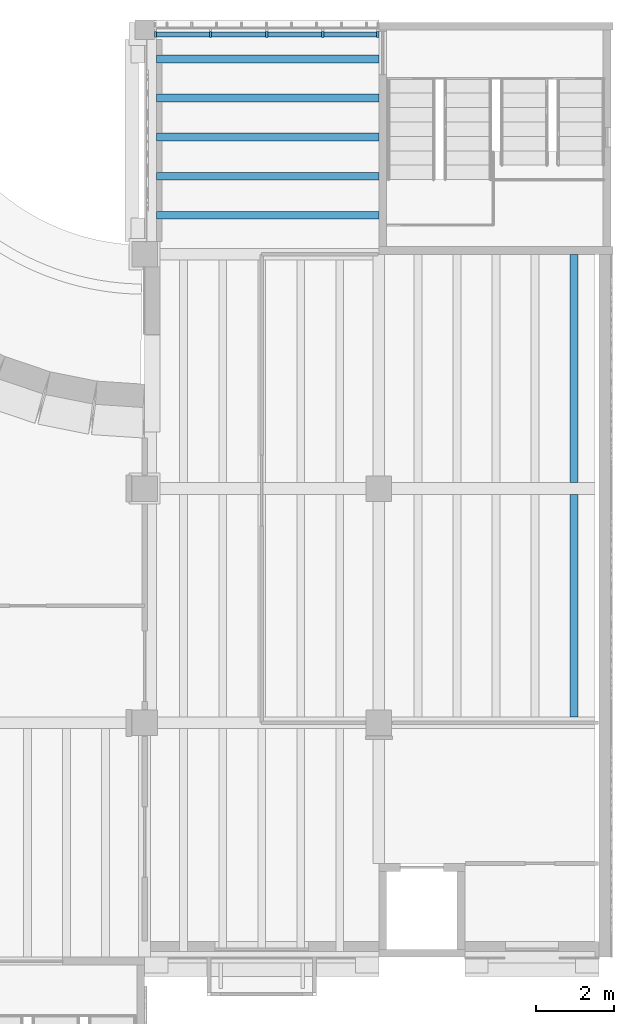
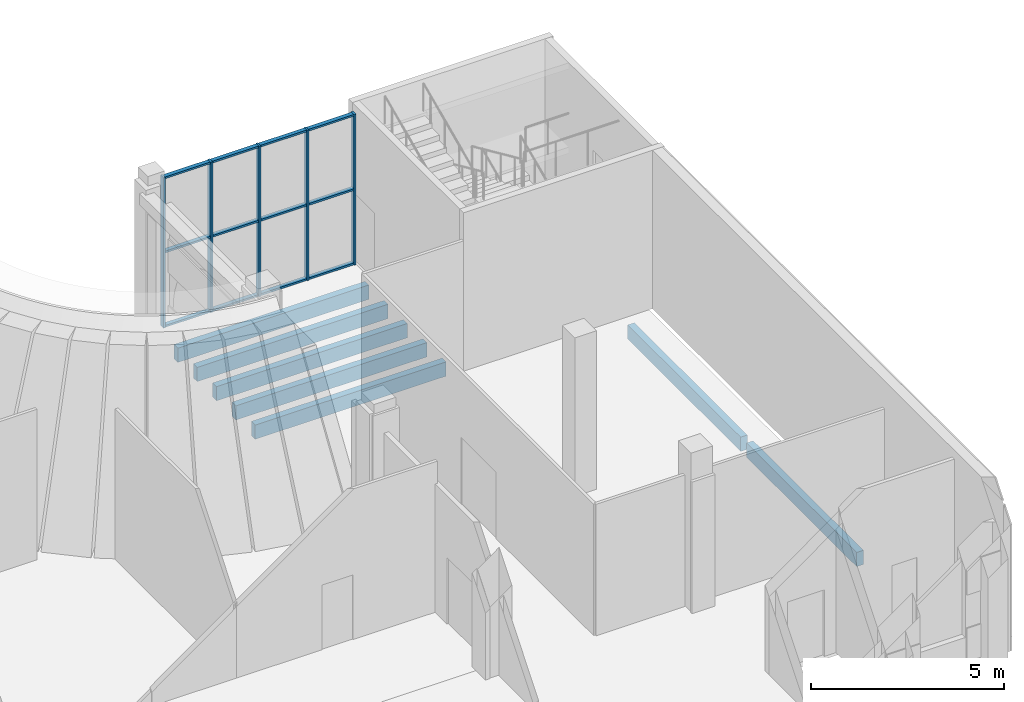
# One storey, part 27 of 80: 17 members, 7 beams, 1 element without a shape of its own.
"""IFC4 building model written with IfcOpenShell, lengths in metres."""

import ifcopenshell
import ifcopenshell.guid

model = None  # the IFC model being written
_history = None  # IfcOwnerHistory: only IFC2X3 demands one
_inside = {}  # id of a spatial element -> (the spatial element, [elements in it])
_under = {}  # id of a project, library or spatial element -> (it, [spatial elements below it])
_declared = {}  # id of a project -> (the project, [libraries it declares])
_typed = {}  # id of a type object -> (the type object, [elements of that type])
_made_of = {}  # id of a material, layer set ... -> (it, [elements and type objects made of it])


def new_model(schema):
    """Start an empty IFC model of exactly this schema.

    Asked for "IFC4X3", IfcOpenShell would pick the latest addendum, in which some entities
    have other attributes; the version numbers below select the first issue.
    IFC2X3 requires an IfcOwnerHistory on every rooted entity: one is made here for all.
    """
    global model, _history
    if schema == "IFC4X3":
        model = ifcopenshell.file(schema_version=(4, 3, 0, 0))
    else:
        model = ifcopenshell.file(schema=schema)
    _inside.clear()
    _under.clear()
    _declared.clear()
    _typed.clear()
    _made_of.clear()
    _history = None
    if model.schema == "IFC2X3":
        org = make("IfcOrganization", Name="unknown")
        user = make(
            "IfcPersonAndOrganization",
            ThePerson=make("IfcPerson", FamilyName="unknown"),
            TheOrganization=org,
        )
        app = make(
            "IfcApplication",
            ApplicationDeveloper=org,
            Version="unknown",
            ApplicationFullName="unknown",
            ApplicationIdentifier="unknown",
        )
        _history = make(
            "IfcOwnerHistory",
            OwningUser=user,
            OwningApplication=app,
            ChangeAction="ADDED",
            CreationDate=0,
        )
    return model


def make(cls, **values):
    """One entity of the class cls with the attributes given. An attribute that is None is left unset."""
    return model.create_entity(
        cls, **{name: value for name, value in values.items() if value is not None}
    )


def rooted(cls, **values):
    """An entity with a GlobalId (a new one), such as an element, a storey or a relation."""
    return make(cls, GlobalId=ifcopenshell.guid.new(), OwnerHistory=_history, **values)


def si_unit(unit_type, name, prefix=None):
    """IfcSIUnit, for example si_unit("LENGTHUNIT", "METRE", prefix="MILLI")."""
    return make("IfcSIUnit", UnitType=unit_type, Prefix=prefix, Name=name)


def assignment(units):
    """IfcUnitAssignment: the units of a project."""
    return None if units is None else make("IfcUnitAssignment", Units=units)


def point(xyz):
    """IfcCartesianPoint."""
    return None if xyz is None else make("IfcCartesianPoint", Coordinates=xyz)


def direction(xyz):
    """IfcDirection."""
    return None if xyz is None else make("IfcDirection", DirectionRatios=xyz)


def frame(location, z_axis=None, x_axis=None):
    """IfcAxis2Placement3D, a coordinate frame: its origin and axes. An axis left out is left unset."""
    return make(
        "IfcAxis2Placement3D",
        Location=point(location),
        Axis=direction(z_axis),
        RefDirection=direction(x_axis),
    )


def frame_2d(location, x_axis=None):
    """IfcAxis2Placement2D, a coordinate frame in the plane: its origin and x axis."""
    return make(
        "IfcAxis2Placement2D", Location=point(location), RefDirection=direction(x_axis)
    )


def origin():
    """The frame at (0, 0, 0) with its axes left unset."""
    return frame((0.0, 0.0, 0.0))


def origin_2d():
    """The frame at (0, 0) in the plane with its x axis left unset."""
    return frame_2d((0.0, 0.0))


def place(relative_to, where):
    """IfcLocalPlacement: puts the frame where relative to a parent placement (None: the world)."""
    return make(
        "IfcLocalPlacement", PlacementRelTo=relative_to, RelativePlacement=where
    )


def context(
    kind, dimensions, precision=None, world=None, true_north=None, identifier=None
):
    """IfcGeometricRepresentationContext, for example the 3D "Model" context."""
    return make(
        "IfcGeometricRepresentationContext",
        ContextIdentifier=identifier,
        ContextType=kind,
        CoordinateSpaceDimension=dimensions,
        Precision=precision,
        WorldCoordinateSystem=world,
        TrueNorth=true_north,
    )


def subcontext(parent, identifier, kind, view, scale=None):
    """IfcGeometricRepresentationSubContext, for example "Body" below "Model"."""
    return make(
        "IfcGeometricRepresentationSubContext",
        ContextIdentifier=identifier,
        ContextType=kind,
        ParentContext=parent,
        TargetScale=scale,
        TargetView=view,
    )


def project(units=None, contexts=None):
    """IfcProject with its units and contexts."""
    return rooted(
        "IfcProject",
        Name="project",
        RepresentationContexts=contexts,
        UnitsInContext=assignment(units),
    )


def spatial(cls, under=None, at=None, **own):
    """A site, building, storey or space (cls), placed at a placement, below another one or the project."""
    s = rooted(cls, ObjectPlacement=at, **own)
    if under is not None:
        _under.setdefault(under.id(), (under, []))[1].append(s)
    return s


def profile(cls, at=None, kind="AREA", **sizes):
    """A parametric profile (cls). Its sizes go by their IFC names, for example OverallWidth=200.0."""
    return make(cls, ProfileType=kind, Position=at, **sizes)


def rectangle(**sizes):
    """IfcRectangleProfileDef."""
    return profile("IfcRectangleProfileDef", **sizes)


def extrude(swept, where, along, depth):
    """IfcExtrudedAreaSolid: the profile swept, set in the frame where, extruded along a direction by depth."""
    return make(
        "IfcExtrudedAreaSolid",
        SweptArea=swept,
        Position=where,
        ExtrudedDirection=direction(along),
        Depth=depth,
    )


def shape(context_of_items, identifier, shape_type, items):
    """IfcShapeRepresentation: the items that make up one representation, for example the "Body"."""
    return make(
        "IfcShapeRepresentation",
        ContextOfItems=context_of_items,
        RepresentationIdentifier=identifier,
        RepresentationType=shape_type,
        Items=items,
    )


def material(Name=None, Category=None):
    """IfcMaterial."""
    return make("IfcMaterial", Name=Name, Category=Category)


def material_profile(
    of_material, cross_section, Name=None, Category=None, Priority=None
):
    """IfcMaterialProfile: a cross section and its material."""
    return make(
        "IfcMaterialProfile",
        Name=Name,
        Material=of_material,
        Profile=cross_section,
        Priority=Priority,
        Category=Category,
    )


def profile_set(profiles, Name=None, composite=None):
    """IfcMaterialProfileSet."""
    return make(
        "IfcMaterialProfileSet",
        Name=Name,
        MaterialProfiles=profiles,
        CompositeProfile=composite,
    )


def made_of(thing, what):
    """Note that an element or type object is made of a material, layer set ...; save() writes the relation."""
    if what is not None:
        _made_of.setdefault(what.id(), (what, []))[1].append(thing)
    return thing


def type_object(cls, material=None, **own):
    """A type object (cls), such as IfcWallType, which elements share."""
    return made_of(rooted(cls, **own), material)


def element(
    cls,
    number,
    at=None,
    inside=None,
    cuts=None,
    type_object=None,
    material=None,
    context=None,
    identifier="Body",
    shape_type=None,
    held_by="IfcProductDefinitionShape",
    body=None,
    shapes=None,
    **own,
):
    """One element of the class cls, such as IfcWall. Its Tag is "e" and its number.

    at: its placement. inside: the storey or other place that contains it. cuts: it is an
    opening in that element (IfcRelVoidsElement). A single representation is given by context,
    identifier, shape_type and body (its items); several are given by shapes. held_by: the class
    of the entity that holds the representations. save() writes the other relations.
    """
    e = rooted(cls, Tag="e%d" % number, ObjectPlacement=at, **own)
    if body is not None:
        shapes = [shape(context, identifier, shape_type, body)]
    if shapes is not None:
        e.Representation = make(held_by, Representations=shapes)
    if inside is not None:
        _inside.setdefault(inside.id(), (inside, []))[1].append(e)
    if cuts is not None:
        rooted(
            "IfcRelVoidsElement", RelatingBuildingElement=cuts, RelatedOpeningElement=e
        )
    if type_object is not None:
        _typed.setdefault(type_object.id(), (type_object, []))[1].append(e)
    return made_of(e, material)


def aggregate(whole, parts):
    """IfcRelAggregates: a whole, such as a stair, and the parts it consists of."""
    return rooted("IfcRelAggregates", RelatingObject=whole, RelatedObjects=parts)


def save(model, path):
    """Write the relations noted so far, then the file.

    IfcRelAggregates (storeys below a building ...), IfcRelContainedInSpatialStructure (elements
    in a storey), IfcRelDefinesByType, IfcRelAssociatesMaterial and IfcRelDeclares: one each for
    every whole, place, type object, material and project.
    """
    for whole, parts in _under.values():
        aggregate(whole, parts)
    for where, things in _inside.values():
        rooted(
            "IfcRelContainedInSpatialStructure",
            RelatedElements=things,
            RelatingStructure=where,
        )
    for kind, things in _typed.values():
        rooted("IfcRelDefinesByType", RelatedObjects=things, RelatingType=kind)
    for what, things in _made_of.values():
        rooted("IfcRelAssociatesMaterial", RelatedObjects=things, RelatingMaterial=what)
    for by, libraries in _declared.values():
        rooted("IfcRelDeclares", RelatingContext=by, RelatedDefinitions=libraries)
    model.write(path)


model = new_model("IFC4")

# Units and contexts
model_context = context("Model", 3, precision=1e-05, world=origin(), true_north=direction((0.0, 1.0)))
body_context = subcontext(model_context, "Body", "Model", "MODEL_VIEW")
ifc_project = project(units=[si_unit("LENGTHUNIT", "METRE"), si_unit("AREAUNIT", "SQUARE_METRE"), si_unit("VOLUMEUNIT", "CUBIC_METRE"), si_unit("PLANEANGLEUNIT", "RADIAN"), si_unit("MASSUNIT", "GRAM", prefix="KILO")], contexts=[model_context])

# Site, building, storey
site_placement = place(None, origin())
site = spatial("IfcSite", under=ifc_project, at=site_placement, CompositionType="ELEMENT")
building_placement = place(site_placement, origin())
building = spatial("IfcBuilding", under=site, at=building_placement, Name="Saffron Lane Theatres", CompositionType="ELEMENT")
storey_placement = place(building_placement, frame((0.0, 0.0, 7.0)))
storey = spatial("IfcBuildingStorey", under=building, at=storey_placement, Name="L01", CompositionType="ELEMENT", Elevation=7.0)

# Curtain wall, members
ifc_material_1 = material(Name="Aluminium", Category="aluminium")
curtain_wall_type = type_object("IfcCurtainWallType", Name="EX-CURTAIN WALL 5750x4750x160", PredefinedType="NOTDEFINED", material=ifc_material_1)
curtain_wall_placement = place(storey_placement, origin())
curtain_wall = element("IfcCurtainWall", 1, at=curtain_wall_placement, inside=storey, type_object=curtain_wall_type, Name="Curtain wall L01 09", PredefinedType="NOTDEFINED")
ifc_material_2 = material(Name="Aluminium", Category="aluminium")
ifc_material_profile_1 = material_profile(ifc_material_2, rectangle(XDim=0.06005859375, YDim=0.159912109375, at=origin_2d()))
ifc_profile_set_1 = profile_set([ifc_material_profile_1], Name="Aluminium")
member_type_1 = type_object("IfcMemberType", Name="EX-CW MULLION 60x160", PredefinedType="MULLION", material=ifc_profile_set_1)
member_1_placement = place(storey_placement, frame((54.280029296875, 125.6298828125, 0.0), z_axis=(0.0, 0.0, 1.0), x_axis=(1.0, 0.0, 0.0)))
member_1 = element("IfcMember", 2, at=member_1_placement, type_object=member_type_1, Name="CW-01-09 mullion 1", PredefinedType="MULLION", context=body_context, shape_type="SweptSolid", body=[
    extrude(rectangle(XDim=0.06005859375, YDim=0.159912109375, at=origin_2d()), origin(), (0.0, 0.0, 1.0), 4.75),
])
member_2_placement = place(storey_placement, frame((55.6875, 125.6298828125, 0.0), z_axis=(0.0, 0.0, 1.0), x_axis=(1.0, 0.0, 0.0)))
member_2 = element("IfcMember", 3, at=member_2_placement, type_object=member_type_1, Name="CW-01-09 mullion 2", PredefinedType="MULLION", context=body_context, shape_type="SweptSolid", body=[
    extrude(rectangle(XDim=0.06005859375, YDim=0.159912109375, at=origin_2d()), origin(), (0.0, 0.0, 1.0), 4.75),
])
member_3_placement = place(storey_placement, frame((57.125, 125.6298828125, 0.0), z_axis=(0.0, 0.0, 1.0), x_axis=(1.0, 0.0, 0.0)))
member_3 = element("IfcMember", 4, at=member_3_placement, type_object=member_type_1, Name="CW-01-09 mullion 3", PredefinedType="MULLION", context=body_context, shape_type="SweptSolid", body=[
    extrude(rectangle(XDim=0.06005859375, YDim=0.159912109375, at=origin_2d()), origin(), (0.0, 0.0, 1.0), 4.75),
])
member_4_placement = place(storey_placement, frame((58.5625, 125.6298828125, 0.0), z_axis=(0.0, 0.0, 1.0), x_axis=(1.0, 0.0, 0.0)))
member_4 = element("IfcMember", 5, at=member_4_placement, type_object=member_type_1, Name="CW-01-09 mullion 4", PredefinedType="MULLION", context=body_context, shape_type="SweptSolid", body=[
    extrude(rectangle(XDim=0.06005859375, YDim=0.159912109375, at=origin_2d()), origin(), (0.0, 0.0, 1.0), 4.75),
])
member_5_placement = place(storey_placement, frame((59.969970703125, 125.6298828125, 0.0), z_axis=(0.0, 0.0, 1.0), x_axis=(1.0, 0.0, 0.0)))
member_5 = element("IfcMember", 6, at=member_5_placement, type_object=member_type_1, Name="CW-01-09 mullion 5", PredefinedType="MULLION", context=body_context, shape_type="SweptSolid", body=[
    extrude(rectangle(XDim=0.06005859375, YDim=0.159912109375, at=origin_2d()), origin(), (0.0, 0.0, 1.0), 4.75),
])
ifc_material_3 = material(Name="Aluminium", Category="aluminium")
ifc_material_profile_2 = material_profile(ifc_material_3, rectangle(XDim=0.1201171875, YDim=0.06005859375, at=origin_2d()))
ifc_profile_set_2 = profile_set([ifc_material_profile_2], Name="Aluminium")
member_type_2 = type_object("IfcMemberType", Name="EX-CW TRANSOM 120x60", PredefinedType="USERDEFINED", material=ifc_profile_set_2)
member_6_placement = place(storey_placement, frame((54.31005859375, 125.6298828125, 0.030029296875), z_axis=(1.0, 0.0, 0.0), x_axis=(0.0, 1.0, 0.0)))
member_6 = element("IfcMember", 7, at=member_6_placement, type_object=member_type_2, Name="CW-01-09 transom 1.1", ObjectType="TRANSOM", PredefinedType="USERDEFINED", context=body_context, shape_type="SweptSolid", body=[
    extrude(rectangle(XDim=0.1201171875, YDim=0.06005859375, at=origin_2d()), origin(), (0.0, 0.0, 1.0), 1.347412109375),
])
member_7_placement = place(storey_placement, frame((54.31005859375, 125.6298828125, 2.375), z_axis=(1.0, 0.0, 0.0), x_axis=(0.0, 1.0, 0.0)))
member_7 = element("IfcMember", 8, at=member_7_placement, type_object=member_type_2, Name="CW-01-09 transom 1.2", ObjectType="TRANSOM", PredefinedType="USERDEFINED", context=body_context, shape_type="SweptSolid", body=[
    extrude(rectangle(XDim=0.1201171875, YDim=0.06005859375, at=origin_2d()), origin(), (0.0, 0.0, 1.0), 1.347412109375),
])
member_8_placement = place(storey_placement, frame((54.31005859375, 125.6298828125, 4.719970703125), z_axis=(1.0, 0.0, 0.0), x_axis=(0.0, 1.0, 0.0)))
member_8 = element("IfcMember", 9, at=member_8_placement, type_object=member_type_2, Name="CW-01-09 transom 1.3", ObjectType="TRANSOM", PredefinedType="USERDEFINED", context=body_context, shape_type="SweptSolid", body=[
    extrude(rectangle(XDim=0.1201171875, YDim=0.06005859375, at=origin_2d()), origin(), (0.0, 0.0, 1.0), 1.347412109375),
])
member_9_placement = place(storey_placement, frame((55.717529296875, 125.6298828125, 0.030029296875), z_axis=(1.0, 0.0, 0.0), x_axis=(0.0, 1.0, 0.0)))
member_9 = element("IfcMember", 10, at=member_9_placement, type_object=member_type_2, Name="CW-01-09 transom 2.1", ObjectType="TRANSOM", PredefinedType="USERDEFINED", context=body_context, shape_type="SweptSolid", body=[
    extrude(rectangle(XDim=0.1201171875, YDim=0.06005859375, at=origin_2d()), origin(), (0.0, 0.0, 1.0), 1.37744140625),
])
member_10_placement = place(storey_placement, frame((55.717529296875, 125.6298828125, 2.375), z_axis=(1.0, 0.0, 0.0), x_axis=(0.0, 1.0, 0.0)))
member_10 = element("IfcMember", 11, at=member_10_placement, type_object=member_type_2, Name="CW-01-09 transom 2.2", ObjectType="TRANSOM", PredefinedType="USERDEFINED", context=body_context, shape_type="SweptSolid", body=[
    extrude(rectangle(XDim=0.1201171875, YDim=0.06005859375, at=origin_2d()), origin(), (0.0, 0.0, 1.0), 1.37744140625),
])
member_11_placement = place(storey_placement, frame((55.717529296875, 125.6298828125, 4.719970703125), z_axis=(1.0, 0.0, 0.0), x_axis=(0.0, 1.0, 0.0)))
member_11 = element("IfcMember", 12, at=member_11_placement, type_object=member_type_2, Name="CW-01-09 transom 2.3", ObjectType="TRANSOM", PredefinedType="USERDEFINED", context=body_context, shape_type="SweptSolid", body=[
    extrude(rectangle(XDim=0.1201171875, YDim=0.06005859375, at=origin_2d()), origin(), (0.0, 0.0, 1.0), 1.37744140625),
])
member_12_placement = place(storey_placement, frame((57.155029296875, 125.6298828125, 0.030029296875), z_axis=(1.0, 0.0, 0.0), x_axis=(0.0, 1.0, 0.0)))
member_12 = element("IfcMember", 13, at=member_12_placement, type_object=member_type_2, Name="CW-01-09 transom 3.1", ObjectType="TRANSOM", PredefinedType="USERDEFINED", context=body_context, shape_type="SweptSolid", body=[
    extrude(rectangle(XDim=0.1201171875, YDim=0.06005859375, at=origin_2d()), origin(), (0.0, 0.0, 1.0), 1.37744140625),
])
member_13_placement = place(storey_placement, frame((57.155029296875, 125.6298828125, 2.375), z_axis=(1.0, 0.0, 0.0), x_axis=(0.0, 1.0, 0.0)))
member_13 = element("IfcMember", 14, at=member_13_placement, type_object=member_type_2, Name="CW-01-09 transom 3.2", ObjectType="TRANSOM", PredefinedType="USERDEFINED", context=body_context, shape_type="SweptSolid", body=[
    extrude(rectangle(XDim=0.1201171875, YDim=0.06005859375, at=origin_2d()), origin(), (0.0, 0.0, 1.0), 1.37744140625),
])
member_14_placement = place(storey_placement, frame((57.155029296875, 125.6298828125, 4.719970703125), z_axis=(1.0, 0.0, 0.0), x_axis=(0.0, 1.0, 0.0)))
member_14 = element("IfcMember", 15, at=member_14_placement, type_object=member_type_2, Name="CW-01-09 transom 3.3", ObjectType="TRANSOM", PredefinedType="USERDEFINED", context=body_context, shape_type="SweptSolid", body=[
    extrude(rectangle(XDim=0.1201171875, YDim=0.06005859375, at=origin_2d()), origin(), (0.0, 0.0, 1.0), 1.37744140625),
])
member_15_placement = place(storey_placement, frame((58.592529296875, 125.6298828125, 0.030029296875), z_axis=(1.0, 0.0, 0.0), x_axis=(0.0, 1.0, 0.0)))
member_15 = element("IfcMember", 16, at=member_15_placement, type_object=member_type_2, Name="CW-01-09 transom 4.1", ObjectType="TRANSOM", PredefinedType="USERDEFINED", context=body_context, shape_type="SweptSolid", body=[
    extrude(rectangle(XDim=0.1201171875, YDim=0.06005859375, at=origin_2d()), origin(), (0.0, 0.0, 1.0), 1.347412109375),
])
member_16_placement = place(storey_placement, frame((58.592529296875, 125.6298828125, 2.375), z_axis=(1.0, 0.0, 0.0), x_axis=(0.0, 1.0, 0.0)))
member_16 = element("IfcMember", 17, at=member_16_placement, type_object=member_type_2, Name="CW-01-09 transom 4.2", ObjectType="TRANSOM", PredefinedType="USERDEFINED", context=body_context, shape_type="SweptSolid", body=[
    extrude(rectangle(XDim=0.1201171875, YDim=0.06005859375, at=origin_2d()), origin(), (0.0, 0.0, 1.0), 1.347412109375),
])
member_17_placement = place(storey_placement, frame((58.592529296875, 125.6298828125, 4.719970703125), z_axis=(1.0, 0.0, 0.0), x_axis=(0.0, 1.0, 0.0)))
member_17 = element("IfcMember", 18, at=member_17_placement, type_object=member_type_2, Name="CW-01-09 transom 4.3", ObjectType="TRANSOM", PredefinedType="USERDEFINED", context=body_context, shape_type="SweptSolid", body=[
    extrude(rectangle(XDim=0.1201171875, YDim=0.06005859375, at=origin_2d()), origin(), (0.0, 0.0, 1.0), 1.347412109375),
])
aggregate(curtain_wall, [member_1, member_2, member_3, member_4, member_5, member_6, member_7, member_8, member_9, member_10, member_11, member_12, member_13, member_14, member_15, member_16, member_17])

# Beams
ifc_material_4 = material(Name="Concrete N40 (40 MPa)", Category="concrete")
ifc_material_profile_3 = material_profile(ifc_material_4, rectangle(XDim=0.199951171875, YDim=0.449951171875, at=origin_2d()))
ifc_profile_set_3 = profile_set([ifc_material_profile_3], Name="Concrete N40 (40 MPa)")
beam_type = type_object("IfcBeamType", Name="RC-JOIST 200x450", PredefinedType="JOIST", material=ifc_profile_set_3)
for number, where, z_axis, x_axis, name in (
    (19, (54.300048828125, 121.0, -0.47509765625), (1.0, 0.0, 0.0), (0.0, 1.0, 0.0), "joist-L01-x12100-543"),
    (20, (54.300048828125, 122.0, -0.47509765625), (1.0, 0.0, 0.0), (0.0, 1.0, 0.0), "joist-L01-x12200-543"),
    (21, (54.300048828125, 123.0, -0.47509765625), (1.0, 0.0, 0.0), (0.0, 1.0, 0.0), "joist-L01-x12300-543"),
    (22, (54.300048828125, 124.0, -0.47509765625), (1.0, 0.0, 0.0), (0.0, 1.0, 0.0), "joist-L01-x12400-543"),
    (23, (54.300048828125, 125.0, -0.47509765625), (1.0, 0.0, 0.0), (0.0, 1.0, 0.0), "joist-L01-x12500-543"),
):
    element("IfcBeam", number, at=place(storey_placement, frame(where, z_axis=z_axis, x_axis=x_axis)), inside=storey, type_object=beam_type, Name=name, PredefinedType="JOIST", context=body_context, shape_type="SweptSolid", body=[
        extrude(rectangle(XDim=0.199951171875, YDim=0.449951171875, at=origin_2d()), origin(), (0.0, 0.0, 1.0), 5.699951171875),
    ])
beam_1_placement = place(storey_placement, frame((65.0, 108.14990234375, -0.47509765625), z_axis=(0.0, 1.0, 0.0), x_axis=(-1.0, 0.0, 0.0)))
element("IfcBeam", 24, at=beam_1_placement, inside=storey, type_object=beam_type, Name="joist-L01-y6500-1082", PredefinedType="JOIST", context=body_context, shape_type="SweptSolid", body=[
    extrude(rectangle(XDim=0.199951171875, YDim=0.449951171875, at=origin_2d()), origin(), (0.0, 0.0, 1.0), 5.7001953125),
])
beam_2_placement = place(storey_placement, frame((65.0, 114.14990234375, -0.47509765625), z_axis=(0.0, 1.0, 0.0), x_axis=(-1.0, 0.0, 0.0)))
element("IfcBeam", 25, at=beam_2_placement, inside=storey, type_object=beam_type, Name="joist-L01-y6500-1142", PredefinedType="JOIST", context=body_context, shape_type="SweptSolid", body=[
    extrude(rectangle(XDim=0.199951171875, YDim=0.449951171875, at=origin_2d()), origin(), (0.0, 0.0, 1.0), 5.85009765625),
])

save(model, "model.ifc")
